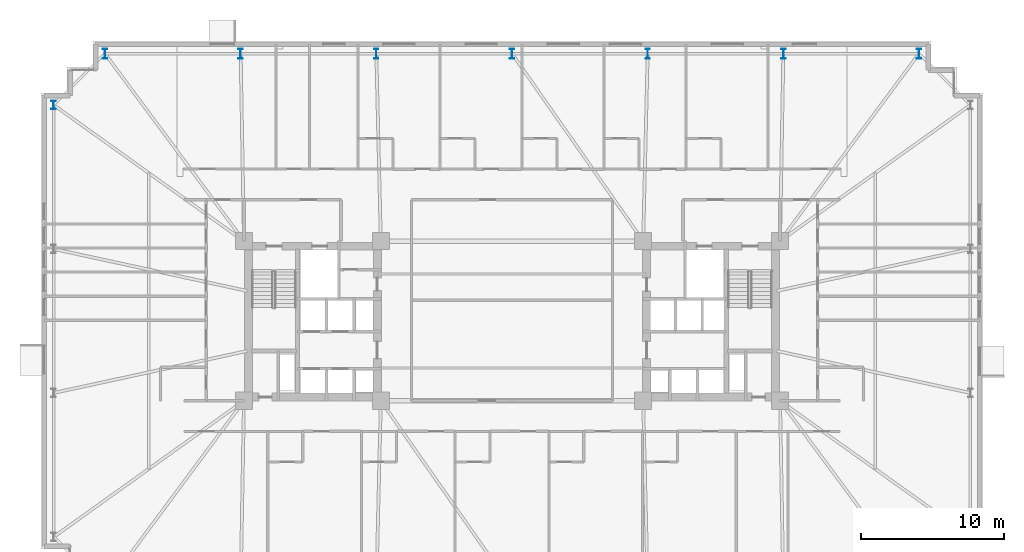
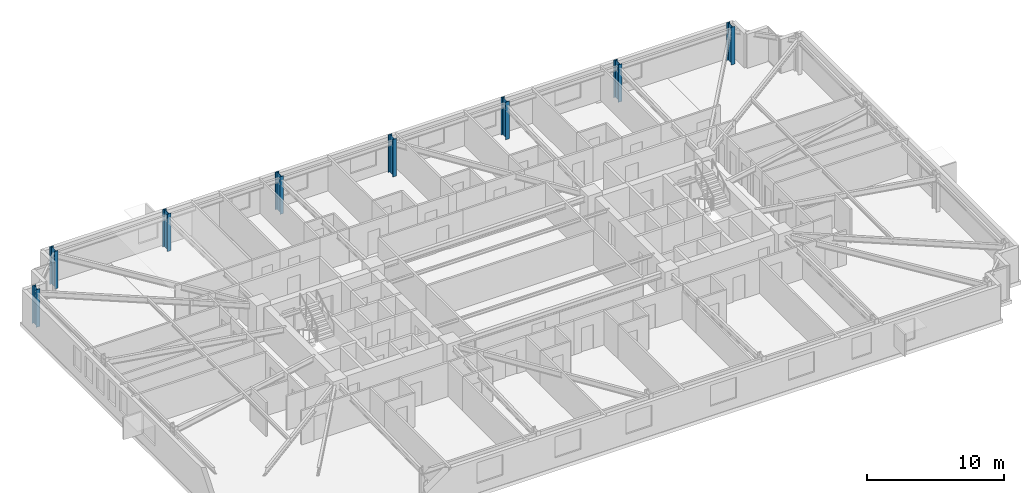
# One storey, part 2 of 22: 8 columns.
"""IFC4 building model written with IfcOpenShell, lengths in metres."""

from ifc_helpers import new_model, si_unit, direction, frame, origin, origin_2d, place, context, subcontext, project, spatial, i_section, extrude, material, material_profile, profile_set, type_object, element, save


model = new_model("IFC4")

# Units and contexts
model_context = context("Model", 3, precision=1e-05, world=origin(), true_north=direction((0.0, 1.0)))
body_context = subcontext(model_context, "Body", "Model", "MODEL_VIEW")
ifc_project = project(units=[si_unit("LENGTHUNIT", "METRE"), si_unit("AREAUNIT", "SQUARE_METRE"), si_unit("VOLUMEUNIT", "CUBIC_METRE"), si_unit("PLANEANGLEUNIT", "RADIAN"), si_unit("MASSUNIT", "GRAM", prefix="KILO")], contexts=[model_context])

# Site, building, storey
site_placement = place(None, origin())
site = spatial("IfcSite", under=ifc_project, at=site_placement, CompositionType="ELEMENT")
building_placement = place(site_placement, origin())
building = spatial("IfcBuilding", under=site, at=building_placement, Name="Qobustan Lattice House", CompositionType="ELEMENT")
storey_placement = place(building_placement, frame((0.0, 0.0, 60.5)))
storey = spatial("IfcBuildingStorey", under=building, at=storey_placement, Name="L16", CompositionType="ELEMENT", Elevation=60.5)

# Columns
ifc_material_1 = material(Name="Steel S460", Category="steel")
ifc_material_profile_1 = material_profile(ifc_material_1, i_section(OverallWidth=0.304931640625, OverallDepth=0.6201171875, WebThickness=0.02099609375, FlangeThickness=0.0400390625, FilletRadius=0.027099609375, at=origin_2d()), Name="HEM600")
ifc_profile_set_1 = profile_set([ifc_material_profile_1], Name="Steel S460")
column_type_1 = type_object("IfcColumnType", Name="COL-ST-HEM600", PredefinedType="COLUMN", material=ifc_profile_set_1)
column_placement = place(storey_placement, frame((-32.14990234375, 15.14990234375, 0.0), z_axis=(0.0, 0.0, 1.0), x_axis=(1.0, 0.0, 0.0)))
element("IfcColumn", 1, at=column_placement, inside=storey, type_object=column_type_1, Name="L16 B1 perimeter column W1", PredefinedType="COLUMN", context=body_context, shape_type="SweptSolid", body=[
    extrude(i_section(OverallWidth=0.304931640625, OverallDepth=0.6201171875, WebThickness=0.02099609375, FlangeThickness=0.0400390625, FilletRadius=0.027099609375, at=origin_2d()), origin(), (0.0, 0.0, 1.0), 3.35009765625),
])
ifc_material_2 = material(Name="Steel S460", Category="steel")
ifc_material_profile_2 = material_profile(ifc_material_2, i_section(OverallWidth=0.303955078125, OverallDepth=0.716064453125, WebThickness=0.02099609375, FlangeThickness=0.0400390625, FilletRadius=0.027099609375, at=origin_2d()), Name="HEM700")
ifc_profile_set_2 = profile_set([ifc_material_profile_2], Name="Steel S460")
column_type_2 = type_object("IfcColumnType", Name="COL-ST-HEM700", PredefinedType="COLUMN", material=ifc_profile_set_2)
for number, where, z_axis, x_axis, name in (
    (2, (28.550048828125, 18.75, 0.0), (0.0, 0.0, 1.0), (1.0, 0.0, 0.0), "L16 B1 perimeter column N1"),
    (3, (19.033203125, 18.75, 0.0), (0.0, 0.0, 1.0), (1.0, 0.0, 0.0), "L16 B1 perimeter column N2"),
    (4, (9.5166015625, 18.75, 0.0), (0.0, 0.0, 1.0), (1.0, 0.0, 0.0), "L16 B1 perimeter column N3"),
    (5, (0.0, 18.75, 0.0), (0.0, 0.0, 1.0), (1.0, 0.0, 0.0), "L16 B1 perimeter column N4"),
    (6, (-9.5166015625, 18.75, 0.0), (0.0, 0.0, 1.0), (1.0, 0.0, 0.0), "L16 B1 perimeter column N5"),
    (7, (-19.033203125, 18.75, 0.0), (0.0, 0.0, 1.0), (1.0, 0.0, 0.0), "L16 B1 perimeter column N6"),
    (8, (-28.550048828125, 18.75, 0.0), (0.0, 0.0, 1.0), (1.0, 0.0, 0.0), "L16 B1 perimeter column N7"),
):
    element("IfcColumn", number, at=place(storey_placement, frame(where, z_axis=z_axis, x_axis=x_axis)), inside=storey, type_object=column_type_2, Name=name, PredefinedType="COLUMN", context=body_context, shape_type="SweptSolid", body=[
        extrude(i_section(OverallWidth=0.303955078125, OverallDepth=0.716064453125, WebThickness=0.02099609375, FlangeThickness=0.0400390625, FilletRadius=0.027099609375, at=origin_2d()), origin(), (0.0, 0.0, 1.0), 3.35009765625),
    ])

save(model, "model.ifc")
